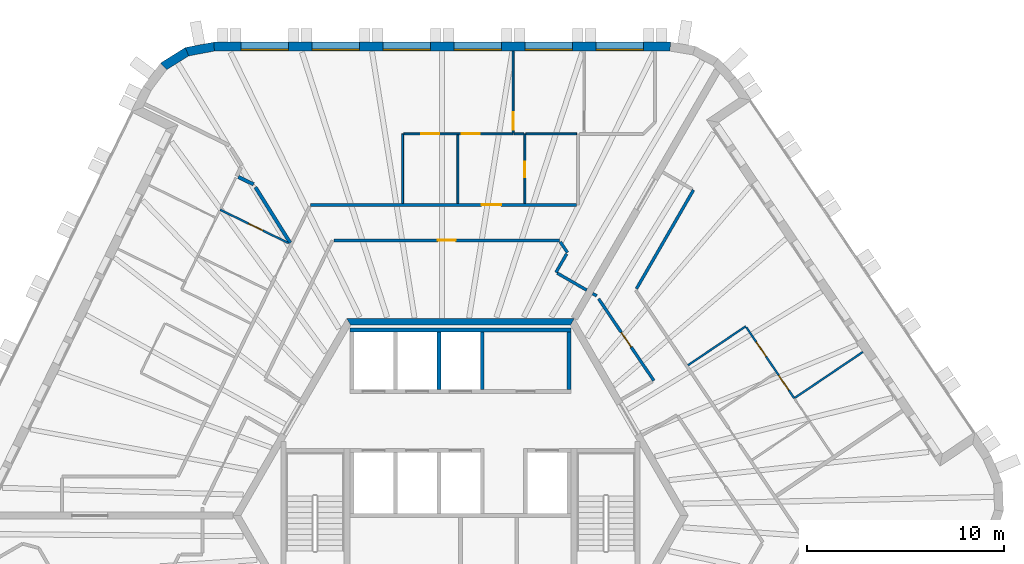
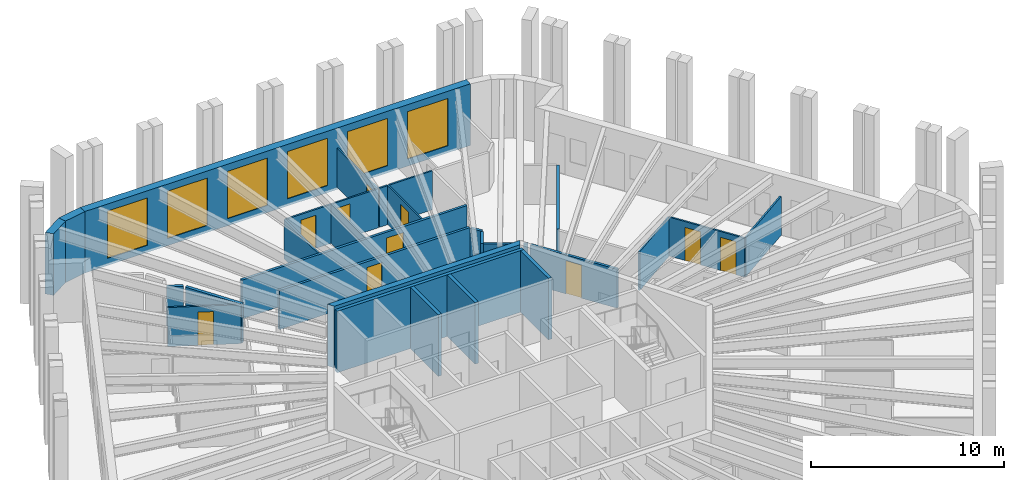
# One storey, part 9 of 12: 29 walls, 10 doors, 6 windows, 16 openings.
"""IFC4 building model written with IfcOpenShell, lengths in metres."""

from ifc_helpers import new_model, si_unit, direction, frame, frame_2d, origin, place, context, subcontext, project, spatial, polyline, rectangle, outline, extrude, material, layer, layer_set, type_object, element, fill, save


model = new_model("IFC4")

# Units and contexts
model_context = context("Model", 3, precision=1e-05, world=origin(), true_north=direction((0.0, 1.0)))
body_context = subcontext(model_context, "Body", "Model", "MODEL_VIEW")
ifc_project = project(units=[si_unit("LENGTHUNIT", "METRE"), si_unit("AREAUNIT", "SQUARE_METRE"), si_unit("VOLUMEUNIT", "CUBIC_METRE"), si_unit("PLANEANGLEUNIT", "RADIAN"), si_unit("MASSUNIT", "GRAM", prefix="KILO")], contexts=[model_context])

# Site, building, storey
site_placement = place(None, origin())
site = spatial("IfcSite", under=ifc_project, at=site_placement, CompositionType="ELEMENT")
building_placement = place(site_placement, origin())
building = spatial("IfcBuilding", under=site, at=building_placement, Name="Tarnside Tower", CompositionType="ELEMENT")
storey_placement = place(building_placement, frame((0.0, 0.0, 369.0)))
storey = spatial("IfcBuildingStorey", under=building, at=storey_placement, Name="L89", CompositionType="ELEMENT", Elevation=369.0)

# Wall, opening, door
ifc_material_1 = material(Name="Gypsum board partition on steel studs", Category="steel")
ifc_layer_1 = layer(ifc_material_1, 0.10009765625)
ifc_layer_set_1 = layer_set([ifc_layer_1], Name="Bathroom wall 100")
wall_type_1 = type_object("IfcWallType", Name="Bathroom wall 100", PredefinedType="PARTITIONING", material=ifc_layer_set_1)
wall_1_placement = place(storey_placement, frame((3.261962890625, 15.824951171875, 0.0), z_axis=(0.0, 0.0, 1.0), x_axis=(0.0, 1.0, 0.0)))
wall_1 = element("IfcWall", 1, at=wall_1_placement, inside=storey, type_object=wall_type_1, Name="Bathroom wall 29089", PredefinedType="PARTITIONING", context=body_context, shape_type="SweptSolid", body=[
    extrude(rectangle(XDim=3.525146484375, YDim=0.10009765625, at=frame_2d((1.7626953125, 0.0))), origin(), (0.0, 0.0, 1.0), 2.469970703125),
])
opening_1_placement = place(wall_1_placement, frame((1.324951171875, 0.0, 0.0)))
opening_1 = element("IfcOpeningElement", 2, at=opening_1_placement, cuts=wall_1, Name="Opening D-B1", PredefinedType="OPENING", context=body_context, shape_type="SweptSolid", body=[
    extrude(rectangle(XDim=0.800048828125, YDim=2.10009765625, at=frame_2d((0.39990234375, 1.050048828125))), frame((0.0, 0.06005859375, 0.0), z_axis=(0.0, -1.0, 0.0), x_axis=(1.0, 0.0, 0.0)), (0.0, 0.0, 1.0), 0.1201171875),
])
ifc_material_2 = material(Name="Timber door leaf", Category="wood")
door_type_1 = type_object("IfcDoorType", Name="Bathroom door 800", OperationType="NOTDEFINED", PredefinedType="DOOR", material=ifc_material_2)
door_1_placement = place(opening_1_placement, origin())
door_1 = element("IfcDoor", 3, at=door_1_placement, inside=storey, type_object=door_type_1, Name="Bathroom door 29002", OperationType="SINGLE_SWING_RIGHT", OverallHeight=2.10009765625, OverallWidth=0.800048828125, PredefinedType="DOOR", context=body_context, shape_type="SweptSolid", body=[
    extrude(rectangle(XDim=0.800048828125, YDim=2.10009765625, at=frame_2d((0.39990234375, 1.050048828125))), frame((0.0, 0.02490234375, 0.0), z_axis=(0.0, -1.0, 0.0), x_axis=(1.0, 0.0, 0.0)), (0.0, 0.0, 1.0), 0.050048828125),
])
fill(opening_1, door_1)

# Wall
wall_2_placement = place(storey_placement, frame((5.888916015625, 19.35009765625, 0.0), z_axis=(0.0, 0.0, 1.0), x_axis=(-1.0, 0.0, 0.0)))
element("IfcWall", 4, at=wall_2_placement, inside=storey, type_object=wall_type_1, Name="Bathroom wall 29092", PredefinedType="PARTITIONING", context=body_context, shape_type="SweptSolid", body=[
    extrude(rectangle(XDim=2.578857421875, YDim=0.10009765625, at=frame_2d((1.28955078125, 0.0))), origin(), (0.0, 0.0, 1.0), 2.469970703125),
])

# Wall, opening, door
wall_3_placement = place(storey_placement, frame((-8.74462890625, 13.824462890625, 0.0), z_axis=(0.0, 0.0, 1.0), x_axis=(-0.898794787177, 0.43836962776, 0.0)))
wall_3 = element("IfcWall", 5, at=wall_3_placement, inside=storey, type_object=wall_type_1, Name="Bathroom wall 29103", PredefinedType="PARTITIONING", context=body_context, shape_type="SweptSolid", body=[
    extrude(rectangle(XDim=3.830078125, YDim=0.10009765625, at=frame_2d((1.9150390625, 0.0))), origin(), (0.0, 0.0, 1.0), 2.469970703125),
])
opening_2_placement = place(wall_3_placement, frame((1.43017578125, 0.0, 0.0)))
opening_2 = element("IfcOpeningElement", 6, at=opening_2_placement, cuts=wall_3, Name="Opening D-B1", PredefinedType="OPENING", context=body_context, shape_type="SweptSolid", body=[
    extrude(rectangle(XDim=0.800048828125, YDim=2.10009765625, at=frame_2d((0.39990234375, 1.050048828125))), frame((0.0, 0.06005859375, 0.0), z_axis=(0.0, -1.0, 0.0), x_axis=(1.0, 0.0, 0.0)), (0.0, 0.0, 1.0), 0.1201171875),
])
door_2_placement = place(opening_2_placement, origin())
door_2 = element("IfcDoor", 7, at=door_2_placement, inside=storey, type_object=door_type_1, Name="Bathroom door 29019", OperationType="SINGLE_SWING_RIGHT", OverallHeight=2.10009765625, OverallWidth=0.800048828125, PredefinedType="DOOR", context=body_context, shape_type="SweptSolid", body=[
    extrude(rectangle(XDim=0.800048828125, YDim=2.10009765625, at=frame_2d((0.39990234375, 1.050048828125))), frame((0.0, 0.02490234375, 0.0), z_axis=(0.0, -1.0, 0.0), x_axis=(1.0, 0.0, 0.0)), (0.0, 0.0, 1.0), 0.050048828125),
])
fill(opening_2, door_2)

# Wall
ifc_material_3 = material(Name="Concrete C50/60", Category="concrete")
ifc_layer_2 = layer(ifc_material_3, 0.35009765625)
ifc_layer_set_2 = layer_set([ifc_layer_2], Name="Core wall Z4 350 C50/60")
wall_type_2 = type_object("IfcWallType", Name="Core wall Z4 350 C50/60", PredefinedType="SHEAR", material=ifc_layer_set_2)
wall_4_placement = place(storey_placement, frame((5.672607421875, 9.824951171875, -0.14990234375), z_axis=(0.0, 0.0, 1.0), x_axis=(-1.0, 0.0, 0.0)))
element("IfcWall", 8, at=wall_4_placement, inside=storey, type_object=wall_type_2, Name="L89 core wall face 1", PredefinedType="SHEAR", context=body_context, shape_type="SweptSolid", body=[
    extrude(outline(polyline([(-0.10107421875, -0.175048828125), (11.4462890625, -0.175048828125), (11.244140625, 0.175048828125), (0.10107421875, 0.175048828125), (-0.10107421875, -0.175048828125)])), origin(), (0.0, 0.0, 1.0), 3.89990234375),
])

# Wall, opening, door
ifc_layer_3 = layer(ifc_material_1, 0.14990234375)
ifc_layer_set_3 = layer_set([ifc_layer_3], Name="Corridor wall 150 EI 60")
wall_type_3 = type_object("IfcWallType", Name="Corridor wall 150 EI 60", PredefinedType="PARTITIONING", material=ifc_layer_set_3)
wall_5_placement = place(storey_placement, frame((5.886962890625, 15.75, 0.0), z_axis=(0.0, 0.0, 1.0), x_axis=(-1.0, 0.0, 0.0)))
wall_5 = element("IfcWall", 9, at=wall_5_placement, inside=storey, type_object=wall_type_3, Name="Corridor wall 29001", PredefinedType="PARTITIONING", context=body_context, shape_type="SweptSolid", body=[
    extrude(rectangle(XDim=13.50341796875, YDim=0.14990234375, at=frame_2d((6.751708984375, 0.0))), origin(), (0.0, 0.0, 1.0), 2.469970703125),
])
opening_3_placement = place(wall_5_placement, frame((3.824951171875, 0.0, 0.0)))
opening_3 = element("IfcOpeningElement", 10, at=opening_3_placement, cuts=wall_5, Name="Opening D-E1", PredefinedType="OPENING", context=body_context, shape_type="SweptSolid", body=[
    extrude(rectangle(XDim=1.0, YDim=2.10009765625, at=frame_2d((0.5, 1.050048828125))), frame((0.0, 0.0849609375, 0.0), z_axis=(0.0, -1.0, 0.0), x_axis=(1.0, 0.0, 0.0)), (0.0, 0.0, 1.0), 0.169921875),
])
door_type_2 = type_object("IfcDoorType", Name="Unit entrance door 1000 FD30S", OperationType="NOTDEFINED", PredefinedType="DOOR", material=ifc_material_2)
door_3_placement = place(opening_3_placement, origin())
door_3 = element("IfcDoor", 11, at=door_3_placement, inside=storey, type_object=door_type_2, Name="Unit door 29001", OperationType="SINGLE_SWING_RIGHT", OverallHeight=2.10009765625, OverallWidth=1.0, PredefinedType="DOOR", context=body_context, shape_type="SweptSolid", body=[
    extrude(rectangle(XDim=1.0, YDim=2.10009765625, at=frame_2d((0.5, 1.050048828125))), frame((0.0, 0.02490234375, 0.0), z_axis=(0.0, -1.0, 0.0), x_axis=(1.0, 0.0, 0.0)), (0.0, 0.0, 1.0), 0.050048828125),
])
fill(opening_3, door_3)

wall_6_placement = place(storey_placement, frame((-6.408203125, 13.949951171875, 0.0), z_axis=(0.0, 0.0, 1.0), x_axis=(1.0, 0.0, 0.0)))
wall_6 = element("IfcWall", 12, at=wall_6_placement, inside=storey, type_object=wall_type_3, Name="Corridor wall 29020", PredefinedType="PARTITIONING", context=body_context, shape_type="SweptSolid", body=[
    extrude(rectangle(XDim=11.4130859375, YDim=0.14990234375, at=frame_2d((5.70654296875, 0.0))), origin(), (0.0, 0.0, 1.0), 2.469970703125),
])
opening_4_placement = place(wall_6_placement, frame((5.256591796875, 0.0, 0.0)))
opening_4 = element("IfcOpeningElement", 13, at=opening_4_placement, cuts=wall_6, Name="Opening D-S1", PredefinedType="OPENING", context=body_context, shape_type="SweptSolid", body=[
    extrude(rectangle(XDim=0.89990234375, YDim=2.10009765625, at=frame_2d((0.449951171875, 1.050048828125))), frame((0.0, 0.0849609375, 0.0), z_axis=(0.0, -1.0, 0.0), x_axis=(1.0, 0.0, 0.0)), (0.0, 0.0, 1.0), 0.169921875),
])
door_type_3 = type_object("IfcDoorType", Name="Service room door 900 FD30S", OperationType="NOTDEFINED", PredefinedType="DOOR", material=ifc_material_2)
door_4_placement = place(opening_4_placement, origin())
door_4 = element("IfcDoor", 14, at=door_4_placement, inside=storey, type_object=door_type_3, Name="Service door 29057", OperationType="SINGLE_SWING_RIGHT", OverallHeight=2.10009765625, OverallWidth=0.89990234375, PredefinedType="DOOR", context=body_context, shape_type="SweptSolid", body=[
    extrude(rectangle(XDim=0.89990234375, YDim=2.10009765625, at=frame_2d((0.449951171875, 1.050048828125))), frame((0.0, 0.02490234375, 0.0), z_axis=(0.0, -1.0, 0.0), x_axis=(1.0, 0.0, 0.0)), (0.0, 0.0, 1.0), 0.050048828125),
])
fill(opening_4, door_4)

# Walls
wall_7_placement = place(storey_placement, frame((5.055419921875, 13.875, 0.0), z_axis=(0.0, 0.0, 1.0), x_axis=(0.559111656251, -0.829092368705, 0.0)))
element("IfcWall", 15, at=wall_7_placement, inside=storey, type_object=wall_type_3, Name="Corridor wall 29021", PredefinedType="PARTITIONING", context=body_context, shape_type="SweptSolid", body=[
    extrude(rectangle(XDim=0.650146484375, YDim=0.14990234375, at=frame_2d((0.3251953125, 0.0))), origin(), (0.0, 0.0, 1.0), 2.469970703125),
])
wall_8_placement = place(storey_placement, frame((5.377197265625, 13.263671875, 0.0), z_axis=(0.0, 0.0, 1.0), x_axis=(-0.499957341738, -0.866050031143, 0.0)))
element("IfcWall", 16, at=wall_8_placement, inside=storey, type_object=wall_type_3, Name="Corridor wall 29022", PredefinedType="PARTITIONING", context=body_context, shape_type="SweptSolid", body=[
    extrude(rectangle(XDim=1.07958984375, YDim=0.14990234375, at=frame_2d((0.539794921875, 0.0))), origin(), (0.0, 0.0, 1.0), 2.469970703125),
])
wall_9_placement = place(storey_placement, frame((4.90234375, 12.291015625, 0.0), z_axis=(0.0, 0.0, 1.0), x_axis=(0.866074815912, -0.499914405916, 0.0)))
element("IfcWall", 17, at=wall_9_placement, inside=storey, type_object=wall_type_3, Name="Corridor wall 29023", PredefinedType="PARTITIONING", context=body_context, shape_type="SweptSolid", body=[
    extrude(rectangle(XDim=1.724853515625, YDim=0.14990234375, at=frame_2d((0.8623046875, 0.0))), origin(), (0.0, 0.0, 1.0), 2.469970703125),
])
wall_10_placement = place(storey_placement, frame((8.919677734375, 11.499267578125, 0.0), z_axis=(0.0, 0.0, 1.0), x_axis=(0.499984314267, 0.866034459757, 0.0)))
element("IfcWall", 18, at=wall_10_placement, inside=storey, type_object=wall_type_3, Name="Corridor wall 29063", PredefinedType="PARTITIONING", context=body_context, shape_type="SweptSolid", body=[
    extrude(rectangle(XDim=5.783935546875, YDim=0.14990234375, at=frame_2d((2.89208984375, 0.0))), origin(), (0.0, 0.0, 1.0), 2.469970703125),
])
wall_11_placement = place(storey_placement, frame((6.699462890625, 11.253662109375, 0.0), z_axis=(0.0, 0.0, 1.0), x_axis=(0.865544827262, -0.500831460673, 0.0)))
element("IfcWall", 19, at=wall_11_placement, inside=storey, type_object=wall_type_3, Name="Corridor wall 29077", PredefinedType="PARTITIONING", context=body_context, shape_type="SweptSolid", body=[
    extrude(rectangle(XDim=0.23486328125, YDim=0.14990234375, at=frame_2d((0.117431640625, 0.0))), origin(), (0.0, 0.0, 1.0), 2.469970703125),
])

# Wall, opening, door
wall_12_placement = place(storey_placement, frame((6.99853515625, 10.994140625, 0.0), z_axis=(0.0, 0.0, 1.0), x_axis=(0.55918759866, -0.82904115067, 0.0)))
wall_12 = element("IfcWall", 20, at=wall_12_placement, inside=storey, type_object=wall_type_3, Name="Corridor wall 29078", PredefinedType="PARTITIONING", context=body_context, shape_type="SweptSolid", body=[
    extrude(rectangle(XDim=5.012939453125, YDim=0.14990234375, at=frame_2d((2.50634765625, 0.0))), origin(), (0.0, 0.0, 1.0), 2.469970703125),
])
opening_5_placement = place(wall_12_placement, frame((2.056640625, 0.0, 0.0)))
opening_5 = element("IfcOpeningElement", 21, at=opening_5_placement, cuts=wall_12, Name="Opening D-S1", PredefinedType="OPENING", context=body_context, shape_type="SweptSolid", body=[
    extrude(rectangle(XDim=0.89990234375, YDim=2.10009765625, at=frame_2d((0.449951171875, 1.050048828125))), frame((0.0, 0.0849609375, 0.0), z_axis=(0.0, -1.0, 0.0), x_axis=(1.0, 0.0, 0.0)), (0.0, 0.0, 1.0), 0.169921875),
])
door_5_placement = place(opening_5_placement, origin())
door_5 = element("IfcDoor", 22, at=door_5_placement, inside=storey, type_object=door_type_3, Name="Service door 29063", OperationType="SINGLE_SWING_RIGHT", OverallHeight=2.10009765625, OverallWidth=0.89990234375, PredefinedType="DOOR", context=body_context, shape_type="SweptSolid", body=[
    extrude(rectangle(XDim=0.89990234375, YDim=2.10009765625, at=frame_2d((0.449951171875, 1.050048828125))), frame((0.0, 0.02490234375, 0.0), z_axis=(0.0, -1.0, 0.0), x_axis=(1.0, 0.0, 0.0)), (0.0, 0.0, 1.0), 0.050048828125),
])
fill(opening_5, door_5)

# Walls
ifc_layer_4 = layer(ifc_material_1, 0.179931640625)
ifc_layer_set_4 = layer_set([ifc_layer_4], Name="Demising wall 180 EI 60")
wall_type_4 = type_object("IfcWallType", Name="Demising wall 180 EI 60", PredefinedType="PARTITIONING", material=ifc_layer_set_4)
wall_13_placement = place(storey_placement, frame((-11.2734375, 17.171630859375, 0.0), z_axis=(0.0, 0.0, 1.0), x_axis=(0.898819713643, -0.438318517025, 0.0)))
element("IfcWall", 23, at=wall_13_placement, inside=storey, type_object=wall_type_4, Name="Demising wall 29087", PredefinedType="PARTITIONING", context=body_context, shape_type="SweptSolid", body=[
    extrude(rectangle(XDim=0.869384765625, YDim=0.179931640625, at=frame_2d((0.4345703125, 0.0))), origin(), (0.0, 0.0, 1.0), 2.469970703125),
])
wall_14_placement = place(storey_placement, frame((-10.40185546875, 16.646728515625, 0.0), z_axis=(0.0, 0.0, 1.0), x_axis=(0.529853827573, -0.84808898201, 0.0)))
element("IfcWall", 24, at=wall_14_placement, inside=storey, type_object=wall_type_4, Name="Demising wall 29088", PredefinedType="PARTITIONING", context=body_context, shape_type="SweptSolid", body=[
    extrude(rectangle(XDim=3.3271484375, YDim=0.179931640625, at=frame_2d((1.66357421875, 0.0))), origin(), (0.0, 0.0, 1.0), 2.469970703125),
])
ifc_material_4 = material(Name="Concrete C40/50", Category="concrete")
ifc_layer_5 = layer(ifc_material_4, 0.199951171875)
ifc_layer_set_5 = layer_set([ifc_layer_5], Name="Lift shaft wall 200 C40/50")
wall_type_5 = type_object("IfcWallType", Name="Lift shaft wall 200 C40/50", PredefinedType="SHEAR", material=ifc_layer_set_5)
wall_15_placement = place(storey_placement, frame((-5.60009765625, 9.39990234375, -0.25), z_axis=(0.0, 0.0, 1.0), x_axis=(1.0, 0.0, 0.0)))
element("IfcWall", 25, at=wall_15_placement, inside=storey, type_object=wall_type_5, Name="L89 lift shaft back wall R1", PredefinedType="SHEAR", context=body_context, shape_type="SweptSolid", body=[
    extrude(rectangle(XDim=11.2001953125, YDim=0.199951171875, at=frame_2d((5.60009765625, 0.0))), origin(), (0.0, 0.0, 1.0), 3.89990234375),
])
for number, where, z_axis, x_axis, name in (
    (26, (-1.10009765625, 6.39990234375, -0.25), (0.0, 0.0, 1.0), (0.0, 1.0, 0.0), "L89 lift shaft partition R13"),
    (27, (1.10009765625, 6.39990234375, -0.25), (0.0, 0.0, 1.0), (0.0, 1.0, 0.0), "L89 lift shaft partition R14"),
    (28, (5.5, 6.39990234375, -0.25), (0.0, 0.0, 1.0), (0.0, 1.0, 0.0), "L89 lift shaft partition R16"),
):
    element("IfcWall", number, at=place(storey_placement, frame(where, z_axis=z_axis, x_axis=x_axis)), inside=storey, type_object=wall_type_5, Name=name, PredefinedType="SHEAR", context=body_context, shape_type="SweptSolid", body=[
        extrude(rectangle(XDim=2.900146484375, YDim=0.199951171875, at=frame_2d((1.4501953125, 0.0))), origin(), (0.0, 0.0, 1.0), 3.89990234375),
    ])

# Wall, openings, doors
ifc_layer_6 = layer(ifc_material_1, 0.10009765625)
ifc_layer_set_6 = layer_set([ifc_layer_6], Name="Partition 100")
wall_type_6 = type_object("IfcWallType", Name="Partition 100", PredefinedType="PARTITIONING", material=ifc_layer_set_6)
wall_16_placement = place(storey_placement, frame((-2.887939453125, 19.35009765625, 0.0), z_axis=(0.0, 0.0, 1.0), x_axis=(1.0, 0.0, 0.0)))
wall_16 = element("IfcWall", 29, at=wall_16_placement, inside=storey, type_object=wall_type_6, Name="Partition wall 29080", PredefinedType="PARTITIONING", context=body_context, shape_type="SweptSolid", body=[
    extrude(rectangle(XDim=5.558349609375, YDim=0.10009765625, at=frame_2d((2.779296875, 0.0))), origin(), (0.0, 0.0, 1.0), 2.469970703125),
])
opening_6_placement = place(wall_16_placement, frame((2.949951171875, 0.0, 0.0)))
opening_6 = element("IfcOpeningElement", 30, at=opening_6_placement, cuts=wall_16, Name="Opening D-I1", PredefinedType="OPENING", context=body_context, shape_type="SweptSolid", body=[
    extrude(rectangle(XDim=0.89990234375, YDim=2.10009765625, at=frame_2d((0.449951171875, 1.050048828125))), frame((0.0, 0.06005859375, 0.0), z_axis=(0.0, -1.0, 0.0), x_axis=(1.0, 0.0, 0.0)), (0.0, 0.0, 1.0), 0.1201171875),
])
opening_7_placement = place(wall_16_placement, frame((0.89990234375, 0.0, 0.0)))
opening_7 = element("IfcOpeningElement", 31, at=opening_7_placement, cuts=wall_16, Name="Opening D-I1", PredefinedType="OPENING", context=body_context, shape_type="SweptSolid", body=[
    extrude(rectangle(XDim=0.89990234375, YDim=2.10009765625, at=frame_2d((0.449951171875, 1.050048828125))), frame((0.0, 0.06005859375, 0.0), z_axis=(0.0, -1.0, 0.0), x_axis=(1.0, 0.0, 0.0)), (0.0, 0.0, 1.0), 0.1201171875),
])
door_type_4 = type_object("IfcDoorType", Name="Internal door 900", OperationType="NOTDEFINED", PredefinedType="DOOR", material=ifc_material_2)
door_6_placement = place(opening_6_placement, origin())
door_6 = element("IfcDoor", 32, at=door_6_placement, inside=storey, type_object=door_type_4, Name="Internal door 29003", OperationType="SINGLE_SWING_RIGHT", OverallHeight=2.10009765625, OverallWidth=0.89990234375, PredefinedType="DOOR", context=body_context, shape_type="SweptSolid", body=[
    extrude(rectangle(XDim=0.89990234375, YDim=2.10009765625, at=frame_2d((0.449951171875, 1.050048828125))), frame((0.0, 0.02490234375, 0.0), z_axis=(0.0, -1.0, 0.0), x_axis=(1.0, 0.0, 0.0)), (0.0, 0.0, 1.0), 0.050048828125),
])
fill(opening_6, door_6)
door_7_placement = place(opening_7_placement, origin())
door_7 = element("IfcDoor", 33, at=door_7_placement, inside=storey, type_object=door_type_4, Name="Internal door 29008", OperationType="SINGLE_SWING_RIGHT", OverallHeight=2.10009765625, OverallWidth=0.89990234375, PredefinedType="DOOR", context=body_context, shape_type="SweptSolid", body=[
    extrude(rectangle(XDim=0.89990234375, YDim=2.10009765625, at=frame_2d((0.449951171875, 1.050048828125))), frame((0.0, 0.02490234375, 0.0), z_axis=(0.0, -1.0, 0.0), x_axis=(1.0, 0.0, 0.0)), (0.0, 0.0, 1.0), 0.050048828125),
])
fill(opening_7, door_7)

# Wall, opening, door
wall_17_placement = place(storey_placement, frame((2.66845703125, 19.39990234375, 0.0), z_axis=(0.0, 0.0, 1.0), x_axis=(0.0, 1.0, 0.0)))
wall_17 = element("IfcWall", 34, at=wall_17_placement, inside=storey, type_object=wall_type_6, Name="Partition wall 29081", PredefinedType="PARTITIONING", context=body_context, shape_type="SweptSolid", body=[
    extrude(rectangle(XDim=4.150146484375, YDim=0.10009765625, at=frame_2d((2.0751953125, 0.0))), origin(), (0.0, 0.0, 1.0), 2.469970703125),
])
opening_8_placement = place(wall_17_placement, frame((0.14990234375, 0.0, 0.0)))
opening_8 = element("IfcOpeningElement", 35, at=opening_8_placement, cuts=wall_17, Name="Opening D-I1", PredefinedType="OPENING", context=body_context, shape_type="SweptSolid", body=[
    extrude(rectangle(XDim=0.89990234375, YDim=2.10009765625, at=frame_2d((0.449951171875, 1.050048828125))), frame((0.0, 0.06005859375, 0.0), z_axis=(0.0, -1.0, 0.0), x_axis=(1.0, 0.0, 0.0)), (0.0, 0.0, 1.0), 0.1201171875),
])
door_8_placement = place(opening_8_placement, origin())
door_8 = element("IfcDoor", 36, at=door_8_placement, inside=storey, type_object=door_type_4, Name="Internal door 29007", OperationType="SINGLE_SWING_RIGHT", OverallHeight=2.10009765625, OverallWidth=0.89990234375, PredefinedType="DOOR", context=body_context, shape_type="SweptSolid", body=[
    extrude(rectangle(XDim=0.89990234375, YDim=2.10009765625, at=frame_2d((0.449951171875, 1.050048828125))), frame((0.0, 0.02490234375, 0.0), z_axis=(0.0, -1.0, 0.0), x_axis=(1.0, 0.0, 0.0)), (0.0, 0.0, 1.0), 0.050048828125),
])
fill(opening_8, door_8)

# Walls
wall_18_placement = place(storey_placement, frame((-2.93798828125, 15.824951171875, 0.0), z_axis=(0.0, 0.0, 1.0), x_axis=(0.0, 1.0, 0.0)))
element("IfcWall", 37, at=wall_18_placement, inside=storey, type_object=wall_type_6, Name="Partition wall 29082", PredefinedType="PARTITIONING", context=body_context, shape_type="SweptSolid", body=[
    extrude(rectangle(XDim=3.525146484375, YDim=0.10009765625, at=frame_2d((1.7626953125, 0.0))), origin(), (0.0, 0.0, 1.0), 2.469970703125),
])
wall_19_placement = place(storey_placement, frame((3.214111328125, 19.35009765625, 0.0), z_axis=(0.0, 0.0, 1.0), x_axis=(-1.0, 0.0, 0.0)))
element("IfcWall", 38, at=wall_19_placement, inside=storey, type_object=wall_type_6, Name="Partition wall 29090", PredefinedType="PARTITIONING", context=body_context, shape_type="SweptSolid", body=[
    extrude(rectangle(XDim=0.49560546875, YDim=0.10009765625, at=frame_2d((0.247802734375, 0.0))), origin(), (0.0, 0.0, 1.0), 2.469970703125),
])
wall_20_placement = place(storey_placement, frame((-0.137939453125, 19.300048828125, 0.0), z_axis=(0.0, 0.0, 1.0), x_axis=(0.0, -1.0, 0.0)))
element("IfcWall", 39, at=wall_20_placement, inside=storey, type_object=wall_type_6, Name="Partition wall 29091", PredefinedType="PARTITIONING", context=body_context, shape_type="SweptSolid", body=[
    extrude(rectangle(XDim=3.47509765625, YDim=0.10009765625, at=frame_2d((1.737548828125, 0.0))), origin(), (0.0, 0.0, 1.0), 2.469970703125),
])

# Wall, openings, doors
wall_21_placement = place(storey_placement, frame((14.4853515625, 9.551513671875, 0.0), z_axis=(0.0, 0.0, 1.0), x_axis=(0.559171259418, -0.829052171242, 0.0)))
wall_21 = element("IfcWall", 40, at=wall_21_placement, inside=storey, type_object=wall_type_6, Name="Partition wall 29144", PredefinedType="PARTITIONING", context=body_context, shape_type="SweptSolid", body=[
    extrude(rectangle(XDim=4.35205078125, YDim=0.10009765625, at=frame_2d((2.176025390625, 0.0))), origin(), (0.0, 0.0, 1.0), 2.469970703125),
])
opening_9_placement = place(wall_21_placement, frame((2.949951171875, 0.0, 0.0)))
opening_9 = element("IfcOpeningElement", 41, at=opening_9_placement, cuts=wall_21, Name="Opening D-I1", PredefinedType="OPENING", context=body_context, shape_type="SweptSolid", body=[
    extrude(rectangle(XDim=0.89990234375, YDim=2.10009765625, at=frame_2d((0.449951171875, 1.050048828125))), frame((0.0, 0.06005859375, 0.0), z_axis=(0.0, -1.0, 0.0), x_axis=(1.0, 0.0, 0.0)), (0.0, 0.0, 1.0), 0.1201171875),
])
opening_10_placement = place(wall_21_placement, frame((0.89990234375, 0.0, 0.0)))
opening_10 = element("IfcOpeningElement", 42, at=opening_10_placement, cuts=wall_21, Name="Opening D-I1", PredefinedType="OPENING", context=body_context, shape_type="SweptSolid", body=[
    extrude(rectangle(XDim=0.89990234375, YDim=2.10009765625, at=frame_2d((0.449951171875, 1.050048828125))), frame((0.0, 0.06005859375, 0.0), z_axis=(0.0, -1.0, 0.0), x_axis=(1.0, 0.0, 0.0)), (0.0, 0.0, 1.0), 0.1201171875),
])
door_9_placement = place(opening_9_placement, origin())
door_9 = element("IfcDoor", 43, at=door_9_placement, inside=storey, type_object=door_type_4, Name="Internal door 29052", OperationType="SINGLE_SWING_RIGHT", OverallHeight=2.10009765625, OverallWidth=0.89990234375, PredefinedType="DOOR", context=body_context, shape_type="SweptSolid", body=[
    extrude(rectangle(XDim=0.89990234375, YDim=2.10009765625, at=frame_2d((0.449951171875, 1.050048828125))), frame((0.0, 0.02490234375, 0.0), z_axis=(0.0, -1.0, 0.0), x_axis=(1.0, 0.0, 0.0)), (0.0, 0.0, 1.0), 0.050048828125),
])
fill(opening_9, door_9)
door_10_placement = place(opening_10_placement, origin())
door_10 = element("IfcDoor", 44, at=door_10_placement, inside=storey, type_object=door_type_4, Name="Internal door 29054", OperationType="SINGLE_SWING_RIGHT", OverallHeight=2.10009765625, OverallWidth=0.89990234375, PredefinedType="DOOR", context=body_context, shape_type="SweptSolid", body=[
    extrude(rectangle(XDim=0.89990234375, YDim=2.10009765625, at=frame_2d((0.449951171875, 1.050048828125))), frame((0.0, 0.02490234375, 0.0), z_axis=(0.0, -1.0, 0.0), x_axis=(1.0, 0.0, 0.0)), (0.0, 0.0, 1.0), 0.050048828125),
])
fill(opening_10, door_10)

# Walls
wall_22_placement = place(storey_placement, frame((16.959228515625, 5.97314453125, 0.0), z_axis=(0.0, 0.0, 1.0), x_axis=(0.829060712991, 0.559158594833, 0.0)))
element("IfcWall", 45, at=wall_22_placement, inside=storey, type_object=wall_type_6, Name="Partition wall 29145", PredefinedType="PARTITIONING", context=body_context, shape_type="SweptSolid", body=[
    extrude(rectangle(XDim=4.150146484375, YDim=0.10009765625, at=frame_2d((2.0751953125, 0.0))), origin(), (0.0, 0.0, 1.0), 2.469970703125),
])
wall_23_placement = place(storey_placement, frame((11.534912109375, 7.621826171875, 0.0), z_axis=(0.0, 0.0, 1.0), x_axis=(0.829033300448, 0.559199237078, 0.0)))
element("IfcWall", 46, at=wall_23_placement, inside=storey, type_object=wall_type_6, Name="Partition wall 29146", PredefinedType="PARTITIONING", context=body_context, shape_type="SweptSolid", body=[
    extrude(rectangle(XDim=3.525146484375, YDim=0.10009765625, at=frame_2d((1.7626953125, 0.0))), origin(), (0.0, 0.0, 1.0), 2.469970703125),
])

# Wall, openings, windows
ifc_material_5 = material(Name="Facing brick", Category="masonry")
ifc_layer_7 = layer(ifc_material_5, 0.10205078125)
ifc_material_6 = material(Name="Concrete C60/75 precast", Category="concrete")
ifc_layer_8 = layer(ifc_material_6, 0.248046875)
ifc_material_7 = material(Name="Mineral wool insulation")
ifc_layer_9 = layer(ifc_material_7, 0.10009765625)
ifc_layer_set_7 = layer_set([ifc_layer_7, ifc_layer_8, ifc_layer_9], Name="Tube wall 450 brick faced")
wall_type_7 = type_object("IfcWallType", Name="Tube wall 450 brick faced", PredefinedType="SOLIDWALL", material=ifc_layer_set_7)
wall_24_placement = place(storey_placement, frame((10.63427734375, 23.77490234375, -0.14990234375), z_axis=(0.0, 0.0, 1.0), x_axis=(-1.0, 0.0, 0.0)))
wall_24 = element("IfcWall", 47, at=wall_24_placement, inside=storey, type_object=wall_type_7, Name="Tube wall L89 F1 flush 00", PredefinedType="SOLIDWALL", context=body_context, shape_type="SweptSolid", body=[
    extrude(outline(polyline([(-0.018310546875, -0.22509765625), (23.152587890625, -0.22509765625), (23.110595703125, 0.22509765625), (0.018310546875, 0.22509765625), (-0.018310546875, -0.22509765625)])), origin(), (0.0, 0.0, 1.0), 3.89990234375),
])
opening_11_placement = place(wall_24_placement, frame((1.36572265625, 0.0, 0.449951171875)))
opening_11 = element("IfcOpeningElement", 48, at=opening_11_placement, cuts=wall_24, Name="Opening WP", PredefinedType="OPENING", context=body_context, shape_type="SweptSolid", body=[
    extrude(rectangle(XDim=2.39990234375, YDim=3.0, at=frame_2d((1.199951171875, 1.5))), frame((0.0, 0.23486328125, 0.0), z_axis=(0.0, -1.0, 0.0), x_axis=(1.0, 0.0, 0.0)), (0.0, 0.0, 1.0), 0.469970703125),
])
opening_12_placement = place(wall_24_placement, frame((4.9658203125, 0.0, 0.449951171875)))
opening_12 = element("IfcOpeningElement", 49, at=opening_12_placement, cuts=wall_24, Name="Opening WP", PredefinedType="OPENING", context=body_context, shape_type="SweptSolid", body=[
    extrude(rectangle(XDim=2.39990234375, YDim=3.0, at=frame_2d((1.199951171875, 1.5))), frame((0.0, 0.23486328125, 0.0), z_axis=(0.0, -1.0, 0.0), x_axis=(1.0, 0.0, 0.0)), (0.0, 0.0, 1.0), 0.469970703125),
])
opening_13_placement = place(wall_24_placement, frame((8.56591796875, 0.0, 0.449951171875)))
opening_13 = element("IfcOpeningElement", 50, at=opening_13_placement, cuts=wall_24, Name="Opening WP", PredefinedType="OPENING", context=body_context, shape_type="SweptSolid", body=[
    extrude(rectangle(XDim=2.39990234375, YDim=3.0, at=frame_2d((1.199951171875, 1.5))), frame((0.0, 0.23486328125, 0.0), z_axis=(0.0, -1.0, 0.0), x_axis=(1.0, 0.0, 0.0)), (0.0, 0.0, 1.0), 0.469970703125),
])
opening_14_placement = place(wall_24_placement, frame((12.165771484375, 0.0, 0.449951171875)))
opening_14 = element("IfcOpeningElement", 51, at=opening_14_placement, cuts=wall_24, Name="Opening WP", PredefinedType="OPENING", context=body_context, shape_type="SweptSolid", body=[
    extrude(rectangle(XDim=2.39990234375, YDim=3.0, at=frame_2d((1.199951171875, 1.5))), frame((0.0, 0.23486328125, 0.0), z_axis=(0.0, -1.0, 0.0), x_axis=(1.0, 0.0, 0.0)), (0.0, 0.0, 1.0), 0.469970703125),
])
opening_15_placement = place(wall_24_placement, frame((15.765869140625, 0.0, 0.449951171875)))
opening_15 = element("IfcOpeningElement", 52, at=opening_15_placement, cuts=wall_24, Name="Opening WP", PredefinedType="OPENING", context=body_context, shape_type="SweptSolid", body=[
    extrude(rectangle(XDim=2.39990234375, YDim=3.0, at=frame_2d((1.199951171875, 1.5))), frame((0.0, 0.23486328125, 0.0), z_axis=(0.0, -1.0, 0.0), x_axis=(1.0, 0.0, 0.0)), (0.0, 0.0, 1.0), 0.469970703125),
])
opening_16_placement = place(wall_24_placement, frame((19.36572265625, 0.0, 0.449951171875)))
opening_16 = element("IfcOpeningElement", 53, at=opening_16_placement, cuts=wall_24, Name="Opening WP", PredefinedType="OPENING", context=body_context, shape_type="SweptSolid", body=[
    extrude(rectangle(XDim=2.39990234375, YDim=3.0, at=frame_2d((1.199951171875, 1.5))), frame((0.0, 0.23486328125, 0.0), z_axis=(0.0, -1.0, 0.0), x_axis=(1.0, 0.0, 0.0)), (0.0, 0.0, 1.0), 0.469970703125),
])
ifc_material_8 = material(Name="Aluminium-framed double glazing", Category="aluminium")
window_type = type_object("IfcWindowType", Name="Penthouse window 2400 x 3000", PartitioningType="DOUBLE_PANEL_VERTICAL", PredefinedType="WINDOW", material=ifc_material_8)
window_1_placement = place(opening_11_placement, frame((0.0, 0.1552734375, 0.0)))
window_1 = element("IfcWindow", 54, at=window_1_placement, inside=storey, type_object=window_type, Name="E.WN.L89.F1.00", OverallHeight=3.0, OverallWidth=2.39990234375, PartitioningType="DOUBLE_PANEL_VERTICAL", PredefinedType="WINDOW", context=body_context, shape_type="SweptSolid", body=[
    extrude(rectangle(XDim=2.39990234375, YDim=3.0, at=frame_2d((1.199951171875, 1.5))), frame((0.0, 0.030029296875, 0.0), z_axis=(0.0, -1.0, 0.0), x_axis=(1.0, 0.0, 0.0)), (0.0, 0.0, 1.0), 0.06005859375),
])
fill(opening_11, window_1)
window_2_placement = place(opening_12_placement, frame((0.0, 0.1552734375, 0.0)))
window_2 = element("IfcWindow", 55, at=window_2_placement, inside=storey, type_object=window_type, Name="E.WN.L89.F1.01", OverallHeight=3.0, OverallWidth=2.39990234375, PartitioningType="DOUBLE_PANEL_VERTICAL", PredefinedType="WINDOW", context=body_context, shape_type="SweptSolid", body=[
    extrude(rectangle(XDim=2.39990234375, YDim=3.0, at=frame_2d((1.199951171875, 1.5))), frame((0.0, 0.030029296875, 0.0), z_axis=(0.0, -1.0, 0.0), x_axis=(1.0, 0.0, 0.0)), (0.0, 0.0, 1.0), 0.06005859375),
])
fill(opening_12, window_2)
window_3_placement = place(opening_13_placement, frame((0.0, 0.1552734375, 0.0)))
window_3 = element("IfcWindow", 56, at=window_3_placement, inside=storey, type_object=window_type, Name="E.WN.L89.F1.02", OverallHeight=3.0, OverallWidth=2.39990234375, PartitioningType="DOUBLE_PANEL_VERTICAL", PredefinedType="WINDOW", context=body_context, shape_type="SweptSolid", body=[
    extrude(rectangle(XDim=2.39990234375, YDim=3.0, at=frame_2d((1.199951171875, 1.5))), frame((0.0, 0.030029296875, 0.0), z_axis=(0.0, -1.0, 0.0), x_axis=(1.0, 0.0, 0.0)), (0.0, 0.0, 1.0), 0.06005859375),
])
fill(opening_13, window_3)
window_4_placement = place(opening_14_placement, frame((0.0, 0.1552734375, 0.0)))
window_4 = element("IfcWindow", 57, at=window_4_placement, inside=storey, type_object=window_type, Name="E.WN.L89.F1.03", OverallHeight=3.0, OverallWidth=2.39990234375, PartitioningType="DOUBLE_PANEL_VERTICAL", PredefinedType="WINDOW", context=body_context, shape_type="SweptSolid", body=[
    extrude(rectangle(XDim=2.39990234375, YDim=3.0, at=frame_2d((1.199951171875, 1.5))), frame((0.0, 0.030029296875, 0.0), z_axis=(0.0, -1.0, 0.0), x_axis=(1.0, 0.0, 0.0)), (0.0, 0.0, 1.0), 0.06005859375),
])
fill(opening_14, window_4)
window_5_placement = place(opening_15_placement, frame((0.0, 0.1552734375, 0.0)))
window_5 = element("IfcWindow", 58, at=window_5_placement, inside=storey, type_object=window_type, Name="E.WN.L89.F1.04", OverallHeight=3.0, OverallWidth=2.39990234375, PartitioningType="DOUBLE_PANEL_VERTICAL", PredefinedType="WINDOW", context=body_context, shape_type="SweptSolid", body=[
    extrude(rectangle(XDim=2.39990234375, YDim=3.0, at=frame_2d((1.199951171875, 1.5))), frame((0.0, 0.030029296875, 0.0), z_axis=(0.0, -1.0, 0.0), x_axis=(1.0, 0.0, 0.0)), (0.0, 0.0, 1.0), 0.06005859375),
])
fill(opening_15, window_5)
window_6_placement = place(opening_16_placement, frame((0.0, 0.1552734375, 0.0)))
window_6 = element("IfcWindow", 59, at=window_6_placement, inside=storey, type_object=window_type, Name="E.WN.L89.F1.05", OverallHeight=3.0, OverallWidth=2.39990234375, PartitioningType="DOUBLE_PANEL_VERTICAL", PredefinedType="WINDOW", context=body_context, shape_type="SweptSolid", body=[
    extrude(rectangle(XDim=2.39990234375, YDim=3.0, at=frame_2d((1.199951171875, 1.5))), frame((0.0, 0.030029296875, 0.0), z_axis=(0.0, -1.0, 0.0), x_axis=(1.0, 0.0, 0.0)), (0.0, 0.0, 1.0), 0.06005859375),
])
fill(opening_16, window_6)

# Walls
wall_25_placement = place(storey_placement, frame((-12.497314453125, 23.77490234375, -0.14990234375), z_axis=(0.0, 0.0, 1.0), x_axis=(-0.982735447009, -0.185016326824, 0.0)))
element("IfcWall", 60, at=wall_25_placement, inside=storey, type_object=wall_type_7, Name="Tube wall L89 F1 chord 01", PredefinedType="SOLIDWALL", context=body_context, shape_type="SweptSolid", body=[
    extrude(outline(polyline([(-0.02099609375, -0.22509765625), (1.43994140625, -0.22509765625), (1.35498046875, 0.22509765625), (0.02099609375, 0.22509765625), (-0.02099609375, -0.22509765625)])), origin(), (0.0, 0.0, 1.0), 3.89990234375),
])
wall_26_placement = place(storey_placement, frame((-13.87060546875, 23.516357421875, -0.14990234375), z_axis=(0.0, 0.0, 1.0), x_axis=(-0.848106239164, -0.52982620461, 0.0)))
element("IfcWall", 61, at=wall_26_placement, inside=storey, type_object=wall_type_7, Name="Tube wall L89 F1 chord 02", PredefinedType="SOLIDWALL", context=body_context, shape_type="SweptSolid", body=[
    extrude(outline(polyline([(-0.04248046875, -0.22509765625), (1.440185546875, -0.22509765625), (1.355224609375, 0.22509765625), (0.04248046875, 0.22509765625), (-0.04248046875, -0.22509765625)])), origin(), (0.0, 0.0, 1.0), 3.89990234375),
])

save(model, "model.ifc")
